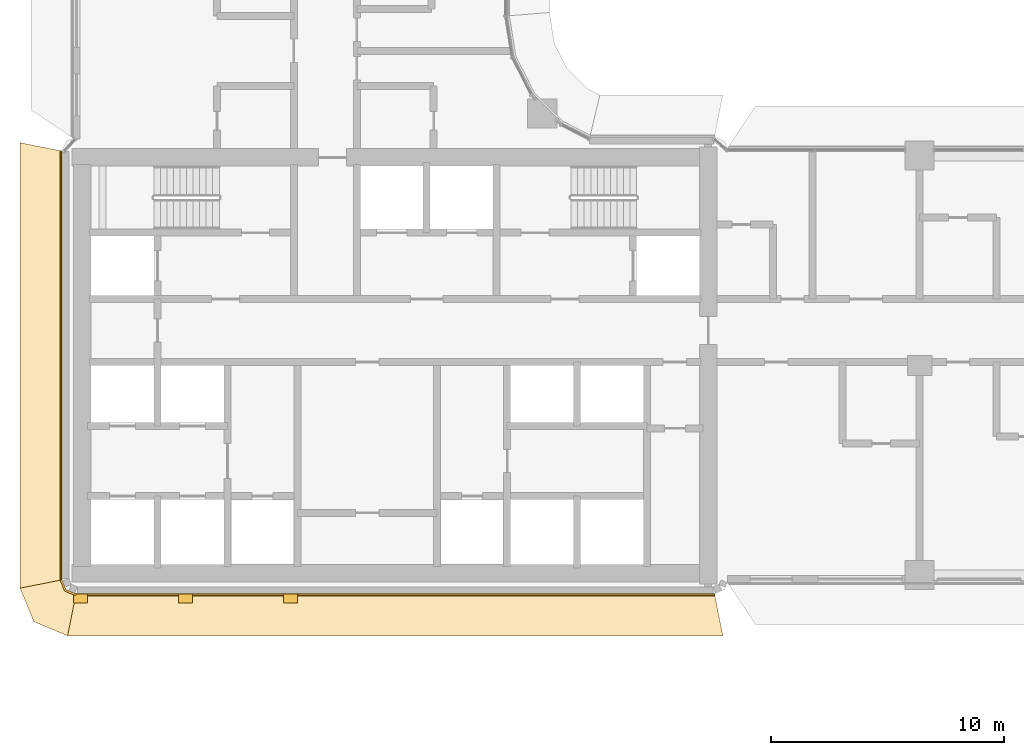
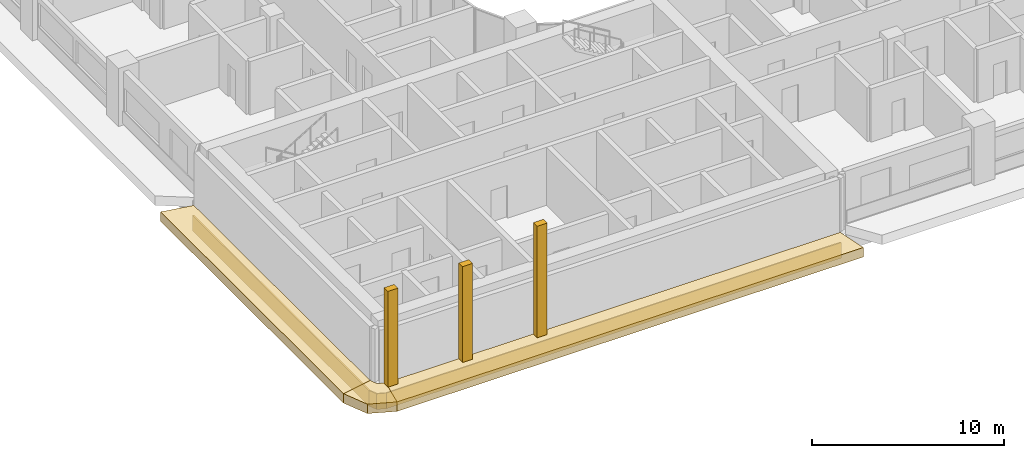
# One storey, part 25 of 33: 9 coverings.
"""IFC4 building model written with IfcOpenShell, lengths in metres."""

from ifc_helpers import new_model, si_unit, direction, frame, origin, origin_2d, place, context, subcontext, project, spatial, polyline, rectangle, outline, extrude, material, layer, layer_set, type_object, element, save


model = new_model("IFC4")

# Units and contexts
model_context = context("Model", 3, precision=1e-05, world=origin(), true_north=direction((0.0, 1.0)))
body_context = subcontext(model_context, "Body", "Model", "MODEL_VIEW")
ifc_project = project(units=[si_unit("LENGTHUNIT", "METRE"), si_unit("AREAUNIT", "SQUARE_METRE"), si_unit("VOLUMEUNIT", "CUBIC_METRE"), si_unit("PLANEANGLEUNIT", "RADIAN"), si_unit("MASSUNIT", "GRAM", prefix="KILO")], contexts=[model_context])

# Site, building, storey
site_placement = place(None, origin())
site = spatial("IfcSite", under=ifc_project, at=site_placement, CompositionType="ELEMENT")
building_placement = place(site_placement, origin())
building = spatial("IfcBuilding", under=site, at=building_placement, Name="Ogive Portal Towers", CompositionType="ELEMENT")
storey_placement = place(building_placement, frame((0.0, 0.0, 98.199951171875)))
storey = spatial("IfcBuildingStorey", under=building, at=storey_placement, Name="L23", CompositionType="ELEMENT", Elevation=98.199951171875)

# Coverings
ifc_material = material(Name="Limestone cladding on lightweight block wall", Category="masonry")
ifc_layer_1 = layer(ifc_material, 0.39990234375)
ifc_layer_set_1 = layer_set([ifc_layer_1], Name="SPINE PIER STONE")
covering_type_1 = type_object("IfcCoveringType", Name="SPINE PIER STONE", PredefinedType="CLADDING", material=ifc_layer_set_1)
for number, where, z_axis, x_axis, name in (
    (1, (31.5, 20.5, 0.0), (0.0, 0.0, 1.0), (1.0, 0.0, 0.0), "SPINE PIER"),
    (2, (36.0, 20.5, 0.0), (0.0, 0.0, 1.0), (1.0, 0.0, 0.0), "SPINE PIER"),
):
    element("IfcCovering", number, at=place(storey_placement, frame(where, z_axis=z_axis, x_axis=x_axis)), inside=storey, type_object=covering_type_1, Name=name, PredefinedType="CLADDING", context=body_context, shape_type="SweptSolid", body=[
        extrude(rectangle(XDim=0.60009765625, YDim=0.39990234375, at=origin_2d()), origin(), (0.0, 0.0, 1.0), 6.10009765625),
    ])
covering_1_placement = place(storey_placement, frame((40.5, 20.5, 0.0), z_axis=(0.0, 0.0, 1.0), x_axis=(1.0, 0.0, 0.0)))
element("IfcCovering", 3, at=covering_1_placement, inside=storey, type_object=covering_type_1, Name="SPINE PIER", PredefinedType="CLADDING", context=body_context, shape_type="SweptSolid", body=[
    extrude(rectangle(XDim=0.60009765625, YDim=0.39990234375, at=origin_2d()), origin(), (0.0, 0.0, 1.0), 7.10009765625),
])
ifc_layer_2 = layer(ifc_material, 0.080078125)
ifc_layer_set_2 = layer_set([ifc_layer_2], Name="STONE SPANDREL 80")
covering_type_2 = type_object("IfcCoveringType", Name="STONE SPANDREL 80", PredefinedType="CLADDING", material=ifc_layer_set_2)
covering_2_placement = place(storey_placement, frame((0.0, 0.0, -1.599853515625)))
element("IfcCovering", 4, at=covering_2_placement, inside=storey, type_object=covering_type_2, Name="Stone spandrel A1-F08", PredefinedType="CLADDING", context=body_context, shape_type="SweptSolid", body=[
    extrude(outline(polyline([(30.699951171875, 39.699951171875), (30.699951171875, 21.300048828125), (30.6201171875, 21.2841796875), (30.6201171875, 39.7158203125), (30.699951171875, 39.699951171875)])), origin(), (0.0, 0.0, 1.0), 1.0),
])
covering_3_placement = place(storey_placement, frame((0.0, 0.0, -1.599853515625)))
element("IfcCovering", 5, at=covering_3_placement, inside=storey, type_object=covering_type_2, Name="Stone spandrel A1-F09", PredefinedType="CLADDING", context=body_context, shape_type="SweptSolid", body=[
    extrude(outline(polyline([(30.699951171875, 21.300048828125), (30.875732421875, 20.875732421875), (31.300048828125, 20.699951171875), (31.2841796875, 20.6201171875), (30.814453125, 20.814453125), (30.6201171875, 21.2841796875), (30.699951171875, 21.300048828125)])), origin(), (0.0, 0.0, 1.0), 1.0),
])
covering_4_placement = place(storey_placement, frame((0.0, 0.0, -1.599853515625)))
element("IfcCovering", 6, at=covering_4_placement, inside=storey, type_object=covering_type_2, Name="Stone spandrel A1-F10", PredefinedType="CLADDING", context=body_context, shape_type="SweptSolid", body=[
    extrude(outline(polyline([(31.300048828125, 20.699951171875), (58.699951171875, 20.699951171875), (58.7158203125, 20.6201171875), (31.2841796875, 20.6201171875), (31.300048828125, 20.699951171875)])), origin(), (0.0, 0.0, 1.0), 1.0),
])
ifc_layer_3 = layer(ifc_material, 0.60009765625)
ifc_layer_set_3 = layer_set([ifc_layer_3], Name="SUNSHADE LIP 600")
covering_type_3 = type_object("IfcCoveringType", Name="SUNSHADE LIP 600", PredefinedType="CLADDING", material=ifc_layer_set_3)
covering_5_placement = place(storey_placement, frame((0.0, 0.0, -0.599853515625)))
element("IfcCovering", 7, at=covering_5_placement, inside=storey, type_object=covering_type_3, Name="Sunshade lip A1-F08", PredefinedType="CLADDING", context=body_context, shape_type="SweptSolid", body=[
    extrude(outline(polyline([(30.699951171875, 39.699951171875), (30.699951171875, 21.300048828125), (28.89990234375, 20.94189453125), (28.89990234375, 40.05810546875), (30.699951171875, 39.699951171875)])), origin(), (0.0, 0.0, 1.0), 0.599853515625),
])
covering_6_placement = place(storey_placement, frame((0.0, 0.0, -0.599853515625)))
element("IfcCovering", 8, at=covering_6_placement, inside=storey, type_object=covering_type_3, Name="Sunshade lip A1-F09", PredefinedType="CLADDING", context=body_context, shape_type="SweptSolid", body=[
    extrude(outline(polyline([(30.699951171875, 21.300048828125), (30.875732421875, 20.875732421875), (31.300048828125, 20.699951171875), (30.94189453125, 18.89990234375), (29.498046875, 19.498046875), (28.89990234375, 20.94189453125), (30.699951171875, 21.300048828125)])), origin(), (0.0, 0.0, 1.0), 0.599853515625),
])
covering_7_placement = place(storey_placement, frame((0.0, 0.0, -0.599853515625)))
element("IfcCovering", 9, at=covering_7_placement, inside=storey, type_object=covering_type_3, Name="Sunshade lip A1-F10", PredefinedType="CLADDING", context=body_context, shape_type="SweptSolid", body=[
    extrude(outline(polyline([(31.300048828125, 20.699951171875), (58.699951171875, 20.699951171875), (59.05810546875, 18.89990234375), (30.94189453125, 18.89990234375), (31.300048828125, 20.699951171875)])), origin(), (0.0, 0.0, 1.0), 0.599853515625),
])

save(model, "model.ifc")
